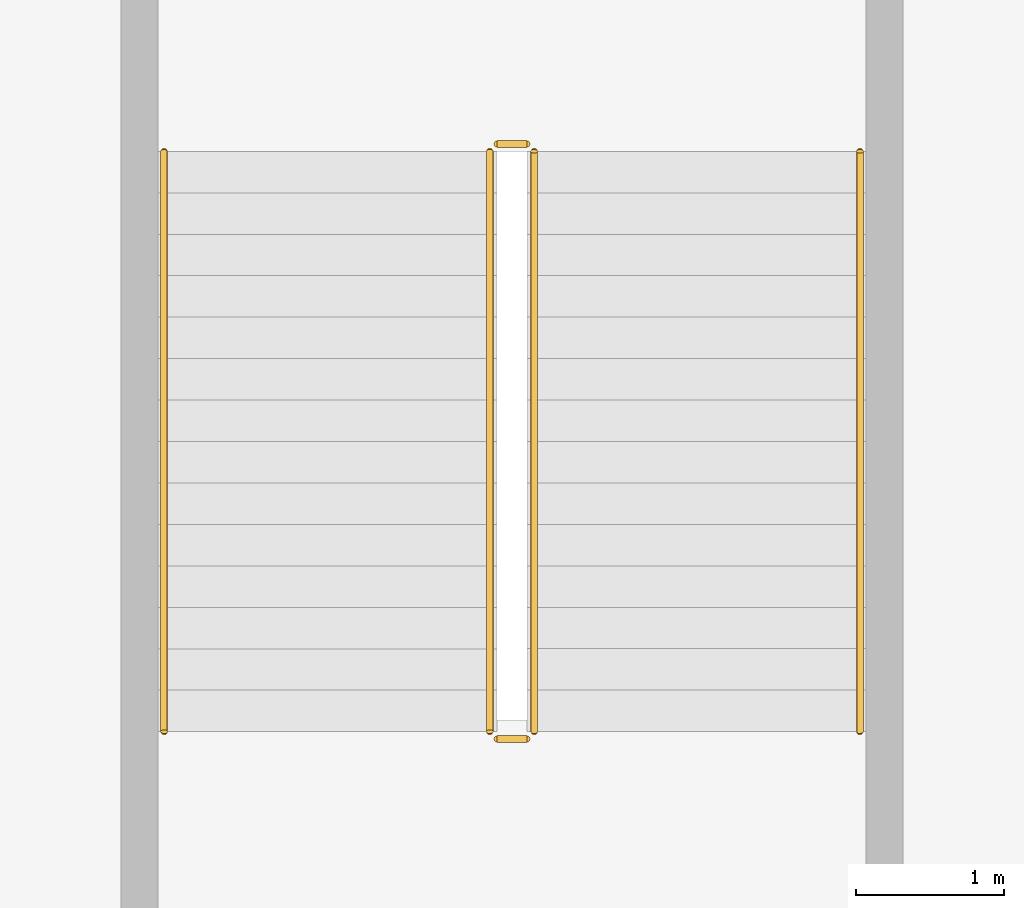
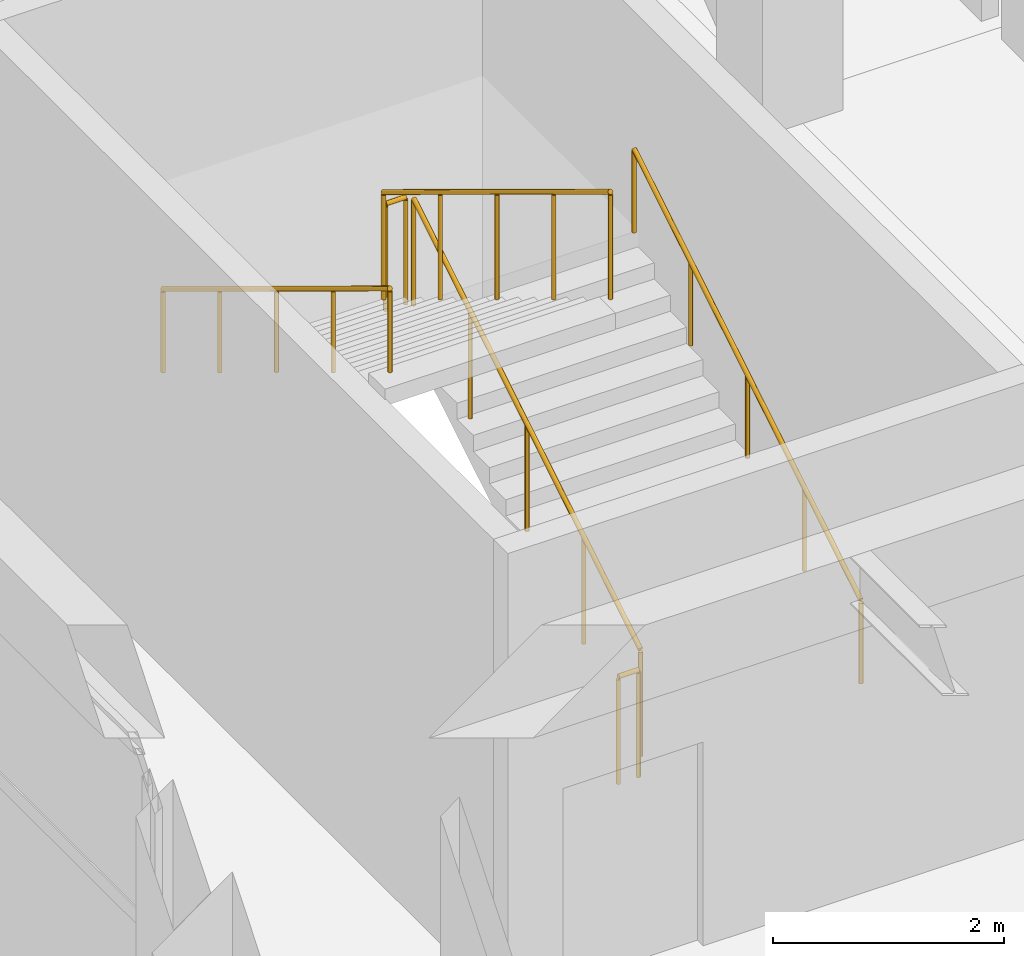
# One storey, part 104 of 116: 6 railings.
"""IFC4 building model written with IfcOpenShell, lengths in metres."""

from ifc_helpers import new_model, si_unit, direction, frame, origin, origin_2d, place, context, subcontext, project, spatial, circle, extrude, material, layer, layer_set, type_object, element, save


model = new_model("IFC4")

# Units and contexts
model_context = context("Model", 3, precision=1e-05, world=origin(), true_north=direction((0.0, 1.0)))
body_context = subcontext(model_context, "Body", "Model", "MODEL_VIEW")
ifc_project = project(units=[si_unit("LENGTHUNIT", "METRE"), si_unit("AREAUNIT", "SQUARE_METRE"), si_unit("VOLUMEUNIT", "CUBIC_METRE"), si_unit("PLANEANGLEUNIT", "RADIAN"), si_unit("MASSUNIT", "GRAM", prefix="KILO")], contexts=[model_context])

# Site, building, storey
site_placement = place(None, origin())
site = spatial("IfcSite", under=ifc_project, at=site_placement, CompositionType="ELEMENT")
building_placement = place(site_placement, origin())
building = spatial("IfcBuilding", under=site, at=building_placement, Name="Kazenohara Klinker Stadium", CompositionType="ELEMENT")
storey_placement = place(building_placement, frame((0.0, 0.0, 10.199951171875)))
storey = spatial("IfcBuildingStorey", under=building, at=storey_placement, Name="L02", CompositionType="ELEMENT", Elevation=10.199951171875)

# Railings
ifc_material_1 = material(Name="Brushed stainless steel 304 handrail", Category="steel")
ifc_layer_1 = layer(ifc_material_1, 0.050048828125)
ifc_layer_set_1 = layer_set([ifc_layer_1], Name="Brushed stainless steel 304 handrail")
railing_type_1 = type_object("IfcRailingType", Name="RL-HND-900", PredefinedType="HANDRAIL", material=ifc_layer_set_1)
railing_1_placement = place(storey_placement, frame((183.60009765625, 51.840087890625, 0.170166015625)))
element("IfcRailing", 1, at=railing_1_placement, inside=storey, type_object=railing_type_1, Name="L02 ST21 stair handrail 1", PredefinedType="HANDRAIL", context=body_context, shape_type="SweptSolid", body=[
    extrude(circle(Radius=0.02392578125, at=origin_2d()), frame((0.0, 0.0, 0.8759765625), z_axis=(0.0, 0.854794262968, 0.518967020143), x_axis=(-1.0, 0.0, 0.0)), (0.0, 0.0, 1.0), 4.585693359375),
    extrude(circle(Radius=0.02099609375, at=origin_2d()), origin(), (0.0, 0.0, 1.0), 0.851806640625),
    extrude(circle(Radius=0.02099609375, at=origin_2d()), frame((0.0, 0.97998046875, 0.594970703125)), (0.0, 0.0, 1.0), 0.851806640625),
    extrude(circle(Radius=0.02099609375, at=origin_2d()), frame((0.0, 1.9599609375, 1.18994140625)), (0.0, 0.0, 1.0), 0.851806640625),
    extrude(circle(Radius=0.02099609375, at=origin_2d()), frame((0.0, 2.93994140625, 1.784912109375)), (0.0, 0.0, 1.0), 0.851806640625),
    extrude(circle(Radius=0.02099609375, at=origin_2d()), frame((0.0, 3.919921875, 2.3798828125)), (0.0, 0.0, 1.0), 0.851806640625),
])
railing_2_placement = place(storey_placement, frame((178.89990234375, 55.760009765625, 2.719970703125)))
element("IfcRailing", 2, at=railing_2_placement, inside=storey, type_object=railing_type_1, Name="L02 ST21 stair handrail 2", PredefinedType="HANDRAIL", context=body_context, shape_type="SweptSolid", body=[
    extrude(circle(Radius=0.02392578125, at=origin_2d()), frame((0.0, 0.0, 0.8759765625), z_axis=(0.0, -0.854770645689, 0.519005918337), x_axis=(1.0, 0.0, 0.0)), (0.0, 0.0, 1.0), 4.5859375),
    extrude(circle(Radius=0.02099609375, at=origin_2d()), origin(), (0.0, 0.0, 1.0), 0.851806640625),
    extrude(circle(Radius=0.02099609375, at=origin_2d()), frame((0.0, -0.97998046875, 0.594970703125)), (0.0, 0.0, 1.0), 0.851806640625),
    extrude(circle(Radius=0.02099609375, at=origin_2d()), frame((0.0, -1.9599609375, 1.18994140625)), (0.0, 0.0, 1.0), 0.851806640625),
    extrude(circle(Radius=0.02099609375, at=origin_2d()), frame((0.0, -2.93994140625, 1.78515625)), (0.0, 0.0, 1.0), 0.851806640625),
    extrude(circle(Radius=0.02099609375, at=origin_2d()), frame((0.0, -3.919921875, 2.380126953125)), (0.0, 0.0, 1.0), 0.851806640625),
])
ifc_material_2 = material(Name="Painted steel stairwell guardrail", Category="steel")
ifc_layer_2 = layer(ifc_material_2, 0.06005859375)
ifc_layer_set_2 = layer_set([ifc_layer_2], Name="Painted steel stairwell guardrail")
railing_type_2 = type_object("IfcRailingType", Name="RL-STG-1120", PredefinedType="GUARDRAIL", material=ifc_layer_set_2)
railing_3_placement = place(storey_placement, frame((181.39990234375, 51.840087890625, 0.170166015625)))
element("IfcRailing", 3, at=railing_3_placement, inside=storey, type_object=railing_type_2, Name="L02 ST21 stair guard 1", PredefinedType="GUARDRAIL", context=body_context, shape_type="SweptSolid", body=[
    extrude(circle(Radius=0.02392578125, at=origin_2d()), frame((0.0, 0.0, 1.1259765625), z_axis=(0.0, 0.854794262968, 0.518967020143), x_axis=(-1.0, 0.0, 0.0)), (0.0, 0.0, 1.0), 4.585693359375),
    extrude(circle(Radius=0.02099609375, at=origin_2d()), origin(), (0.0, 0.0, 1.0), 1.101806640625),
    extrude(circle(Radius=0.02099609375, at=origin_2d()), frame((0.0, 0.97998046875, 0.594970703125)), (0.0, 0.0, 1.0), 1.101806640625),
    extrude(circle(Radius=0.02099609375, at=origin_2d()), frame((0.0, 1.9599609375, 1.18994140625)), (0.0, 0.0, 1.0), 1.101806640625),
    extrude(circle(Radius=0.02099609375, at=origin_2d()), frame((0.0, 2.93994140625, 1.784912109375)), (0.0, 0.0, 1.0), 1.101806640625),
    extrude(circle(Radius=0.02099609375, at=origin_2d()), frame((0.0, 3.919921875, 2.3798828125)), (0.0, 0.0, 1.0), 1.101806640625),
])
railing_4_placement = place(storey_placement, frame((181.35009765625, 55.81005859375, 2.550048828125)))
element("IfcRailing", 4, at=railing_4_placement, inside=storey, type_object=railing_type_2, Name="L02 ST21 stair guard 2", PredefinedType="GUARDRAIL", context=body_context, shape_type="SweptSolid", body=[
    extrude(circle(Radius=0.02392578125, at=origin_2d()), frame((0.0, 0.0, 1.1259765625), z_axis=(-1.0, 0.0, 0.0), x_axis=(0.0, -1.0, 0.0)), (0.0, 0.0, 1.0), 0.2001953125),
    extrude(circle(Radius=0.02099609375, at=origin_2d()), origin(), (0.0, 0.0, 1.0), 1.101806640625),
    extrude(circle(Radius=0.02099609375, at=origin_2d()), frame((-0.2001953125, 0.0, 0.0)), (0.0, 0.0, 1.0), 1.101806640625),
])
railing_5_placement = place(storey_placement, frame((181.10009765625, 55.760009765625, 2.719970703125)))
element("IfcRailing", 5, at=railing_5_placement, inside=storey, type_object=railing_type_2, Name="L02 ST21 stair guard 3", PredefinedType="GUARDRAIL", context=body_context, shape_type="SweptSolid", body=[
    extrude(circle(Radius=0.02392578125, at=origin_2d()), frame((0.0, 0.0, 1.1259765625), z_axis=(0.0, -0.854770645689, 0.519005918337), x_axis=(1.0, 0.0, 0.0)), (0.0, 0.0, 1.0), 4.5859375),
    extrude(circle(Radius=0.02099609375, at=origin_2d()), origin(), (0.0, 0.0, 1.0), 1.101806640625),
    extrude(circle(Radius=0.02099609375, at=origin_2d()), frame((0.0, -0.97998046875, 0.594970703125)), (0.0, 0.0, 1.0), 1.101806640625),
    extrude(circle(Radius=0.02099609375, at=origin_2d()), frame((0.0, -1.9599609375, 1.18994140625)), (0.0, 0.0, 1.0), 1.101806640625),
    extrude(circle(Radius=0.02099609375, at=origin_2d()), frame((0.0, -2.93994140625, 1.78515625)), (0.0, 0.0, 1.0), 1.101806640625),
    extrude(circle(Radius=0.02099609375, at=origin_2d()), frame((0.0, -3.919921875, 2.380126953125)), (0.0, 0.0, 1.0), 1.101806640625),
])
railing_6_placement = place(storey_placement, frame((181.35009765625, 51.7900390625, 0.0)))
element("IfcRailing", 6, at=railing_6_placement, inside=storey, type_object=railing_type_2, Name="L02 ST21 stair guard 4", PredefinedType="GUARDRAIL", context=body_context, shape_type="SweptSolid", body=[
    extrude(circle(Radius=0.02392578125, at=origin_2d()), frame((0.0, 0.0, 1.1259765625), z_axis=(-1.0, 0.0, 0.0), x_axis=(0.0, -1.0, 0.0)), (0.0, 0.0, 1.0), 0.2001953125),
    extrude(circle(Radius=0.02099609375, at=origin_2d()), origin(), (0.0, 0.0, 1.0), 1.101806640625),
    extrude(circle(Radius=0.02099609375, at=origin_2d()), frame((-0.2001953125, 0.0, 0.0)), (0.0, 0.0, 1.0), 1.101806640625),
])

save(model, "model.ifc")
